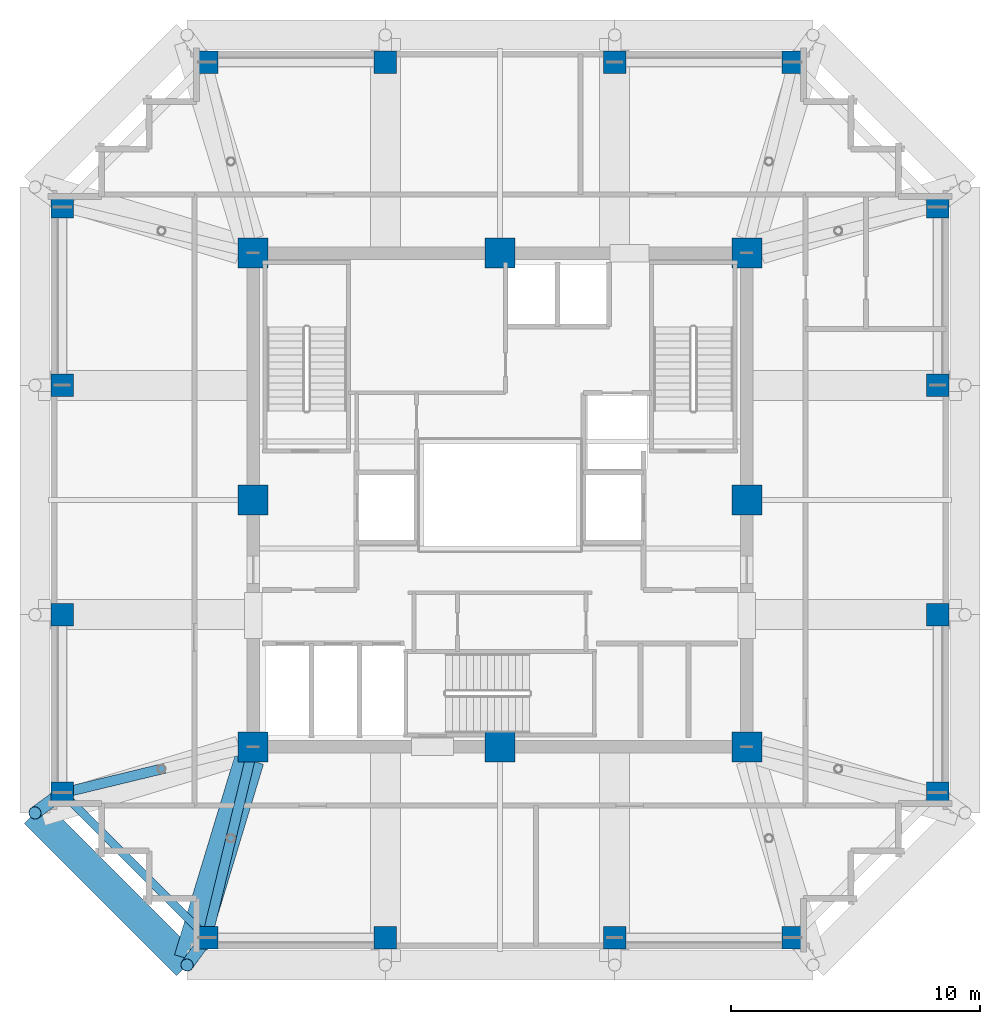
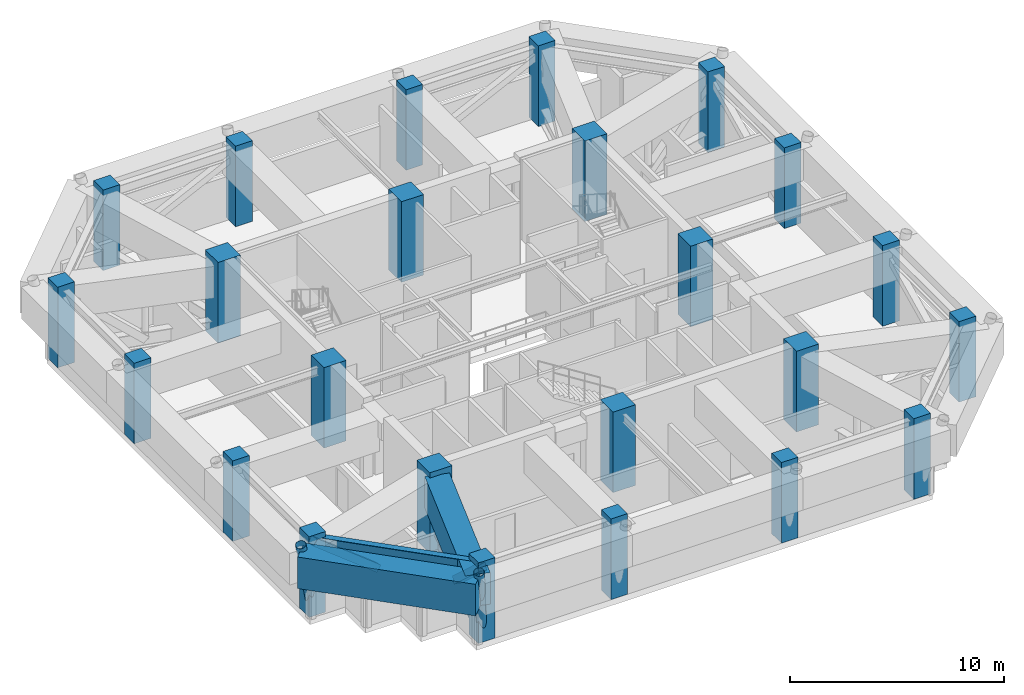
# One storey, part 1 of 12: 24 columns, 4 beams, 4 members.
"""IFC4 building model written with IfcOpenShell, lengths in metres."""

from ifc_helpers import new_model, si_unit, direction, frame, origin, origin_2d, place, context, subcontext, project, spatial, rectangle, hollow_rectangle, hollow_circle, i_section, extrude, material, material_profile, profile_set, type_object, element, save


model = new_model("IFC4")

# Units and contexts
model_context = context("Model", 3, precision=1e-05, world=origin(), true_north=direction((0.0, 1.0)))
body_context = subcontext(model_context, "Body", "Model", "MODEL_VIEW")
ifc_project = project(units=[si_unit("LENGTHUNIT", "METRE"), si_unit("AREAUNIT", "SQUARE_METRE"), si_unit("VOLUMEUNIT", "CUBIC_METRE"), si_unit("PLANEANGLEUNIT", "RADIAN"), si_unit("MASSUNIT", "GRAM", prefix="KILO")], contexts=[model_context])

# Site, building, storey
site_placement = place(None, origin())
site = spatial("IfcSite", under=ifc_project, at=site_placement, CompositionType="ELEMENT")
building_placement = place(site_placement, origin())
building = spatial("IfcBuilding", under=site, at=building_placement, Name="Kolvaren Belvedere", CompositionType="ELEMENT")
storey_placement = place(building_placement, frame((0.0, 0.0, 148.10009765625)))
storey = spatial("IfcBuildingStorey", under=building, at=storey_placement, Name="L43", CompositionType="ELEMENT", Elevation=148.10009765625)

# Columns
ifc_material_1 = material(Name="Concrete C60/75", Category="concrete")
ifc_material_profile_1 = material_profile(ifc_material_1, rectangle(XDim=1.199951171875, YDim=1.199951171875, at=origin_2d()), Name="RC 1200X1200")
ifc_profile_set_1 = profile_set([ifc_material_profile_1], Name="Concrete C60/75")
column_type_1 = type_object("IfcColumnType", Name="COL-RC-1200", PredefinedType="COLUMN", material=ifc_profile_set_1)
for number, where, z_axis, x_axis, name in (
    (1, (-9.89990234375, -9.89990234375, 0.0), (0.0, 0.0, 1.0), (1.0, 0.0, 0.0), "L43 Core Column CC1"),
    (2, (9.89990234375, -9.89990234375, 0.0), (0.0, 0.0, 1.0), (1.0, 0.0, 0.0), "L43 Core Column CC2"),
    (3, (9.89990234375, 9.89990234375, 0.0), (0.0, 0.0, 1.0), (1.0, 0.0, 0.0), "L43 Core Column CC3"),
    (4, (-9.89990234375, 9.89990234375, 0.0), (0.0, 0.0, 1.0), (1.0, 0.0, 0.0), "L43 Core Column CC4"),
    (5, (0.0, -9.89990234375, 0.0), (0.0, 0.0, 1.0), (1.0, 0.0, 0.0), "L43 Core Column CM1"),
    (6, (9.89990234375, 0.0, 0.0), (0.0, 0.0, 1.0), (1.0, 0.0, 0.0), "L43 Core Column CM2"),
    (7, (0.0, 9.89990234375, 0.0), (0.0, 0.0, 1.0), (1.0, 0.0, 0.0), "L43 Core Column CM3"),
    (8, (-9.89990234375, 0.0, 0.0), (0.0, 0.0, 1.0), (1.0, 0.0, 0.0), "L43 Core Column CM4"),
):
    element("IfcColumn", number, at=place(storey_placement, frame(where, z_axis=z_axis, x_axis=x_axis)), inside=storey, type_object=column_type_1, Name=name, PredefinedType="COLUMN", context=body_context, shape_type="SweptSolid", body=[
        extrude(rectangle(XDim=1.199951171875, YDim=1.199951171875, at=origin_2d()), origin(), (0.0, 0.0, 1.0), 4.599853515625),
    ])
ifc_material_2 = material(Name="Concrete C50/60", Category="concrete")
ifc_material_profile_2 = material_profile(ifc_material_2, rectangle(XDim=0.89990234375, YDim=0.89990234375, at=origin_2d()), Name="RC 900X900")
ifc_profile_set_2 = profile_set([ifc_material_profile_2], Name="Concrete C50/60")
column_type_2 = type_object("IfcColumnType", Name="COL-RC-900", PredefinedType="COLUMN", material=ifc_profile_set_2)
for number, where, z_axis, x_axis, name in (
    (9, (-11.75, -17.550048828125, 0.0), (0.0, 0.0, 1.0), (1.0, 0.0, 0.0), "L43 Perimeter Column S1"),
    (10, (-4.60009765625, -17.550048828125, 0.0), (0.0, 0.0, 1.0), (1.0, 0.0, 0.0), "L43 Perimeter Column S2"),
    (11, (4.60009765625, -17.550048828125, 0.0), (0.0, 0.0, 1.0), (1.0, 0.0, 0.0), "L43 Perimeter Column S3"),
    (12, (11.75, -17.550048828125, 0.0), (0.0, 0.0, 1.0), (1.0, 0.0, 0.0), "L43 Perimeter Column S4"),
    (13, (-11.75, 17.550048828125, 0.0), (0.0, 0.0, 1.0), (1.0, 0.0, 0.0), "L43 Perimeter Column N1"),
    (14, (-4.60009765625, 17.550048828125, 0.0), (0.0, 0.0, 1.0), (1.0, 0.0, 0.0), "L43 Perimeter Column N2"),
    (15, (4.60009765625, 17.550048828125, 0.0), (0.0, 0.0, 1.0), (1.0, 0.0, 0.0), "L43 Perimeter Column N3"),
    (16, (11.75, 17.550048828125, 0.0), (0.0, 0.0, 1.0), (1.0, 0.0, 0.0), "L43 Perimeter Column N4"),
    (17, (-17.550048828125, -11.75, 0.0), (0.0, 0.0, 1.0), (1.0, 0.0, 0.0), "L43 Perimeter Column W1"),
    (18, (-17.550048828125, -4.60009765625, 0.0), (0.0, 0.0, 1.0), (1.0, 0.0, 0.0), "L43 Perimeter Column W2"),
    (19, (-17.550048828125, 4.60009765625, 0.0), (0.0, 0.0, 1.0), (1.0, 0.0, 0.0), "L43 Perimeter Column W3"),
    (20, (-17.550048828125, 11.75, 0.0), (0.0, 0.0, 1.0), (1.0, 0.0, 0.0), "L43 Perimeter Column W4"),
    (21, (17.550048828125, -11.75, 0.0), (0.0, 0.0, 1.0), (1.0, 0.0, 0.0), "L43 Perimeter Column E1"),
    (22, (17.550048828125, -4.60009765625, 0.0), (0.0, 0.0, 1.0), (1.0, 0.0, 0.0), "L43 Perimeter Column E2"),
    (23, (17.550048828125, 4.60009765625, 0.0), (0.0, 0.0, 1.0), (1.0, 0.0, 0.0), "L43 Perimeter Column E3"),
    (24, (17.550048828125, 11.75, 0.0), (0.0, 0.0, 1.0), (1.0, 0.0, 0.0), "L43 Perimeter Column E4"),
):
    element("IfcColumn", number, at=place(storey_placement, frame(where, z_axis=z_axis, x_axis=x_axis)), inside=storey, type_object=column_type_2, Name=name, PredefinedType="COLUMN", context=body_context, shape_type="SweptSolid", body=[
        extrude(rectangle(XDim=0.89990234375, YDim=0.89990234375, at=origin_2d()), origin(), (0.0, 0.0, 1.0), 4.599853515625),
    ])

# Beams
ifc_material_3 = material(Name="Structural steel ASTM A992 Grade 50", Category="steel")
ifc_material_profile_3 = material_profile(ifc_material_3, i_section(OverallWidth=0.39990234375, OverallDepth=0.85595703125, WebThickness=0.018310546875, FlangeThickness=0.029296875, FilletRadius=0.02490234375, at=origin_2d()), Name="W33X201")
ifc_profile_set_3 = profile_set([ifc_material_profile_3], Name="Structural steel ASTM A992 Grade 50")
beam_type_1 = type_object("IfcBeamType", Name="BM-GIRD-W33X201", PredefinedType="BEAM", material=ifc_profile_set_3)
beam_1_placement = place(storey_placement, frame((-10.029296875, -10.4345703125, 0.47998046875), z_axis=(-0.235061976433, -0.971980384182, 0.0), x_axis=(0.971980384182, -0.235061976433, 0.0)))
element("IfcBeam", 25, at=beam_1_placement, inside=storey, type_object=beam_type_1, Name="L43 Outrigger Truss Bottom Chord OB-1", PredefinedType="BEAM", context=body_context, shape_type="SweptSolid", body=[
    extrude(i_section(OverallWidth=0.39990234375, OverallDepth=0.85595703125, WebThickness=0.018310546875, FlangeThickness=0.029296875, FilletRadius=0.02490234375, at=origin_2d()), origin(), (0.0, 0.0, 1.0), 6.87060546875),
])
ifc_material_4 = material(Name="Structural steel ASTM A992 Grade 50", Category="steel")
ifc_material_profile_4 = material_profile(ifc_material_4, i_section(OverallWidth=0.324951171875, OverallDepth=0.615966796875, WebThickness=0.013916015625, FlangeThickness=0.021484375, FilletRadius=0.02001953125, at=origin_2d()), Name="W24X117")
ifc_profile_set_4 = profile_set([ifc_material_profile_4], Name="Structural steel ASTM A992 Grade 50")
beam_type_2 = type_object("IfcBeamType", Name="BM-SPAN-W24X117", PredefinedType="SPANDREL", material=ifc_profile_set_4)
beam_2_placement = place(storey_placement, frame((-17.40673828125, -11.893310546875, 3.991943359375), z_axis=(0.707106781187, -0.707106781187, 0.0), x_axis=(0.707106781187, 0.707106781187, 0.0)))
element("IfcBeam", 26, at=beam_2_placement, inside=storey, type_object=beam_type_2, Name="L43 Perimeter Spandrel W1-S1", PredefinedType="SPANDREL", context=body_context, shape_type="SweptSolid", body=[
    extrude(i_section(OverallWidth=0.324951171875, OverallDepth=0.615966796875, WebThickness=0.013916015625, FlangeThickness=0.021484375, FilletRadius=0.02001953125, at=origin_2d()), origin(), (0.0, 0.0, 1.0), 7.797119140625),
])
ifc_material_5 = material(Name="Concrete C50/60", Category="concrete")
ifc_material_profile_5 = material_profile(ifc_material_5, rectangle(XDim=1.199951171875, YDim=1.800048828125, at=origin_2d()), Name="RC 1200X1800")
ifc_profile_set_5 = profile_set([ifc_material_profile_5], Name="Concrete C50/60")
beam_type_3 = type_object("IfcBeamType", Name="BM-TG-1800", PredefinedType="BEAM", material=ifc_profile_set_5)
beam_3_placement = place(storey_placement, frame((-18.64990234375, -12.550048828125, 3.39990234375), z_axis=(0.707106781187, -0.707106781187, 0.0), x_axis=(0.707106781187, 0.707106781187, 0.0)))
element("IfcBeam", 27, at=beam_3_placement, inside=storey, type_object=beam_type_3, Name="L43 Step Transfer Ring Girder W1-S1", PredefinedType="BEAM", context=body_context, shape_type="SweptSolid", body=[
    extrude(rectangle(XDim=1.199951171875, YDim=1.800048828125, at=origin_2d()), origin(), (0.0, 0.0, 1.0), 8.62646484375),
])
beam_4_placement = place(storey_placement, frame((-10.059326171875, -10.426513671875, 3.39990234375), z_axis=(-0.289873372359, -0.957065007195, 0.0), x_axis=(0.957065007195, -0.289873372359, 0.0)))
element("IfcBeam", 28, at=beam_4_placement, inside=storey, type_object=beam_type_3, Name="L43 Corner Core-to-Perimeter Girder CC1-S1", PredefinedType="BEAM", context=body_context, shape_type="SweptSolid", body=[
    extrude(rectangle(XDim=1.199951171875, YDim=1.800048828125, at=origin_2d()), origin(), (0.0, 0.0, 1.0), 8.34228515625),
])

# Members
ifc_material_6 = material(Name="Structural steel ASTM A500 Grade C", Category="steel")
ifc_material_profile_6 = material_profile(ifc_material_6, hollow_rectangle(XDim=0.406005859375, YDim=0.406005859375, WallThickness=0.014892578125, at=origin_2d()), Name="HSS16X16X5/8")
ifc_profile_set_6 = profile_set([ifc_material_profile_6], Name="Structural steel ASTM A500 Grade C")
member_type_1 = type_object("IfcMemberType", Name="MB-OUTRIGGER", PredefinedType="BRACE", material=ifc_profile_set_6)
for number, where, z_axis, x_axis, name in (
    (29, (-10.7880859375, -13.572021484375, 0.47998046875), (-0.179271121775, -0.741381639136, 0.646695546645), (0.971987354602, -0.235033151904, 0.0), "L43 Outrigger Truss Diagonal OT-1A"),
    (30, (-13.572021484375, -10.7880859375, 0.47998046875), (-0.741381639136, -0.179271121775, 0.646695546645), (0.235033151904, -0.971987354602, 0.0), "L43 Outrigger Truss Diagonal OT-2A"),
):
    element("IfcMember", number, at=place(storey_placement, frame(where, z_axis=z_axis, x_axis=x_axis)), inside=storey, type_object=member_type_1, Name=name, PredefinedType="BRACE", context=body_context, shape_type="SweptSolid", body=[
        extrude(hollow_rectangle(XDim=0.406005859375, YDim=0.406005859375, WallThickness=0.014892578125, at=origin_2d()), origin(), (0.0, 0.0, 1.0), 5.36572265625),
    ])
ifc_material_7 = material(Name="Structural steel ASTM A500 Grade C", Category="steel")
ifc_material_profile_7 = material_profile(ifc_material_7, hollow_circle(Radius=0.25390625, WallThickness=0.01171875, at=origin_2d()), Name="HSS20.000X0.500")
ifc_profile_set_7 = profile_set([ifc_material_profile_7], Name="Structural steel ASTM A500 Grade C")
member_type_2 = type_object("IfcMemberType", Name="MB-WAIST-STRUT", PredefinedType="STRUT", material=ifc_profile_set_7)
for number, where, z_axis, x_axis, name in (
    (31, (-11.75, -17.550048828125, 0.0), (-0.166791227963, -0.229293403104, 0.958960490097), (0.808681743416, -0.58824640914, 0.0), "L43 Inclined Waist Transition Strut S1"),
    (32, (-17.550048828125, -11.75, 0.0), (-0.229293403104, -0.166791227963, 0.958960490097), (0.58824640914, -0.808681743416, 0.0), "L43 Inclined Waist Transition Strut W1"),
):
    element("IfcMember", number, at=place(storey_placement, frame(where, z_axis=z_axis, x_axis=x_axis)), inside=storey, type_object=member_type_2, Name=name, PredefinedType="STRUT", context=body_context, shape_type="SweptSolid", body=[
        extrude(hollow_circle(Radius=0.25390625, WallThickness=0.01171875, at=origin_2d()), origin(), (0.0, 0.0, 1.0), 4.796630859375),
    ])

save(model, "model.ifc")
